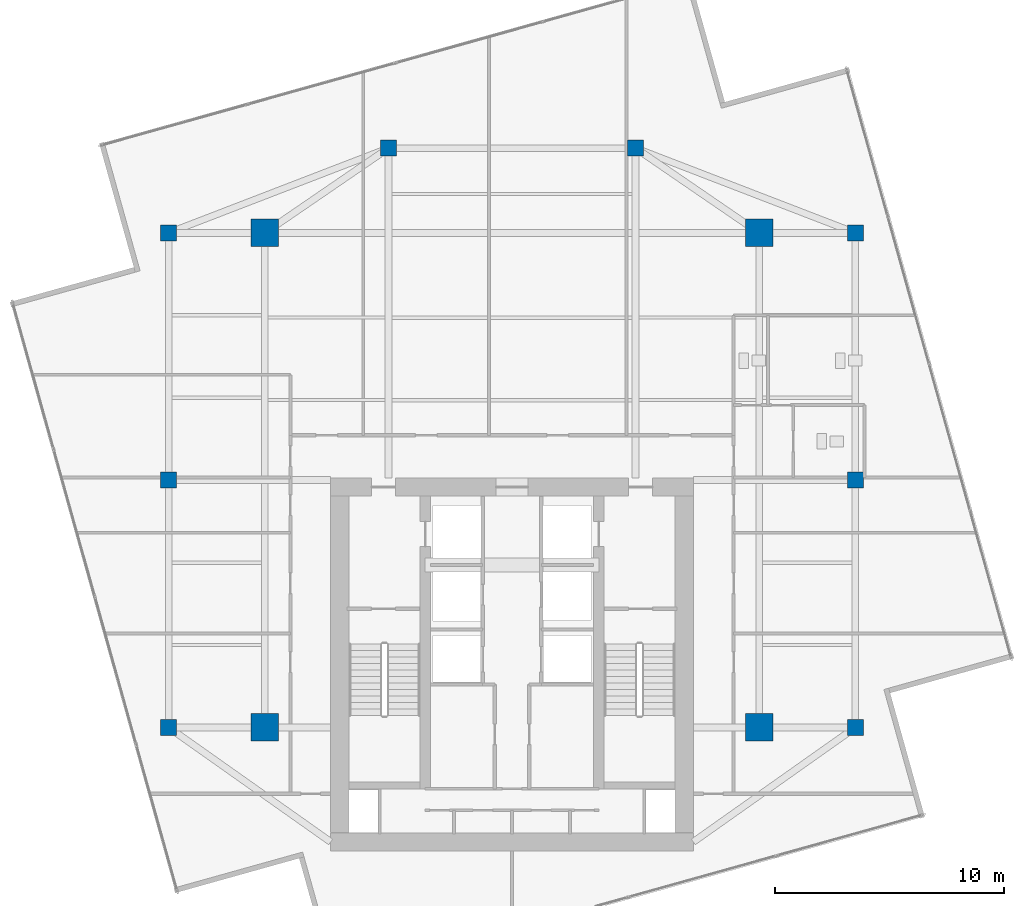
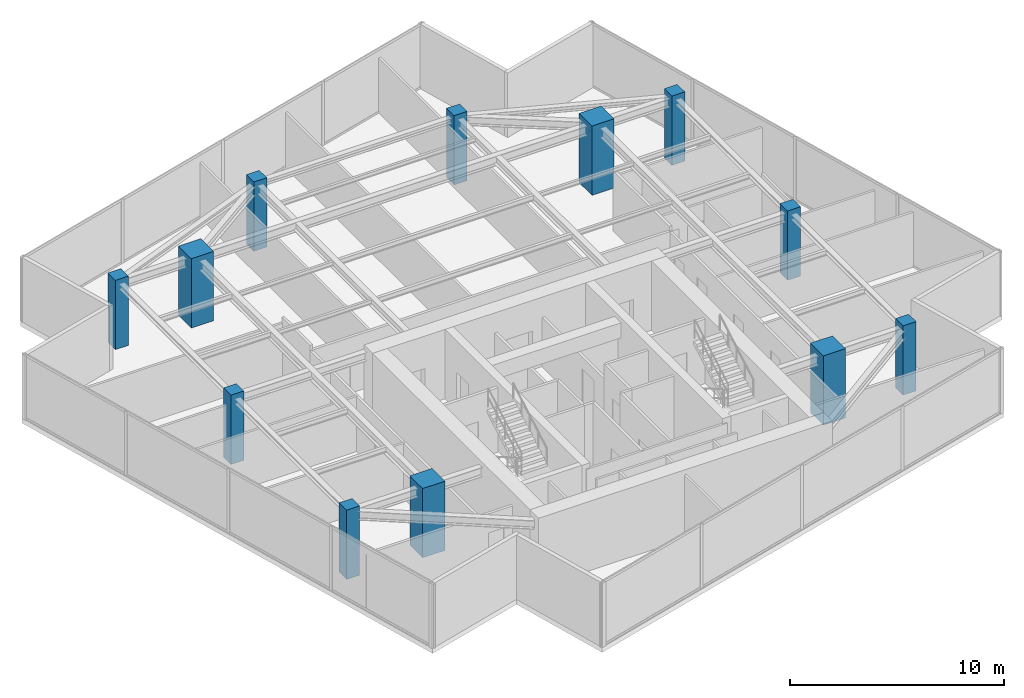
# One storey, part 1 of 20: 12 columns.
"""IFC4 building model written with IfcOpenShell, lengths in metres."""

from ifc_helpers import new_model, si_unit, direction, frame, origin, origin_2d, place, context, subcontext, project, spatial, rectangle, extrude, source, transform, mapped, material, material_profile, profile_set, type_object, type_shapes, element, save


model = new_model("IFC4")

# Units and contexts
model_context = context("Model", 3, precision=1e-05, world=origin(), true_north=direction((0.0, 1.0)))
body_context = subcontext(model_context, "Body", "Model", "MODEL_VIEW")
ifc_project = project(units=[si_unit("LENGTHUNIT", "METRE"), si_unit("AREAUNIT", "SQUARE_METRE"), si_unit("VOLUMEUNIT", "CUBIC_METRE"), si_unit("PLANEANGLEUNIT", "RADIAN"), si_unit("MASSUNIT", "GRAM", prefix="KILO")], contexts=[model_context])

# Site, building, storey
site_placement = place(None, origin())
site = spatial("IfcSite", under=ifc_project, at=site_placement, CompositionType="ELEMENT")
building_placement = place(site_placement, origin())
building = spatial("IfcBuilding", under=site, at=building_placement, Name="Krantzveldt Concourse Tower", CompositionType="ELEMENT")
storey_placement = place(building_placement, frame((0.0, 0.0, 351.39990234375)))
storey = spatial("IfcBuildingStorey", under=building, at=storey_placement, Name="L86", CompositionType="ELEMENT", Elevation=351.39990234375)

# Columns
ifc_material = material(Name="Concrete C50/60", Category="concrete")
ifc_material_profile_1 = material_profile(ifc_material, rectangle(XDim=1.199951171875, YDim=1.199951171875, at=origin_2d()), Name="Concrete C50/60", Category="concrete")
ifc_profile_set_1 = profile_set([ifc_material_profile_1], Name="Concrete C50/60 - RC 1200x1200")
column_type_1 = type_object("IfcColumnType", Name="COL-MC-1200", PredefinedType="USERDEFINED", material=ifc_profile_set_1)
shared_shape_1 = source(origin(), body_context, "Body", "SweptSolid", [
    extrude(rectangle(XDim=1.199951171875, YDim=1.199951171875, at=origin_2d()), origin(), (0.0, 0.0, 1.0), 3.9501953125),
])
type_shapes(column_type_1, [shared_shape_1])
for number, where, z_axis, x_axis, name in (
    (1, (25.199951171875, 15.89990234375, 0.0), (0.0, 0.0, 1.0), (1.0, 0.0, 0.0), "MC-SW-L86"),
    (2, (46.800048828125, 15.89990234375, 0.0), (0.0, 0.0, 1.0), (1.0, 0.0, 0.0), "MC-SE-L86"),
    (3, (46.800048828125, 37.5, 0.0), (0.0, 0.0, 1.0), (1.0, 0.0, 0.0), "MC-NE-L86"),
    (4, (25.199951171875, 37.5, 0.0), (0.0, 0.0, 1.0), (1.0, 0.0, 0.0), "MC-NW-L86"),
):
    element("IfcColumn", number, at=place(storey_placement, frame(where, z_axis=z_axis, x_axis=x_axis)), inside=storey, type_object=column_type_1, Name=name, ObjectType="MEGA COLUMN", PredefinedType="USERDEFINED", context=body_context, shape_type="MappedRepresentation", body=[
        mapped(shared_shape_1, transform((0.0, 0.0, 0.0), x_axis=(1.0, 0.0, 0.0), y_axis=(0.0, 1.0, 0.0), z_axis=(0.0, 0.0, 1.0), scale=1.0)),
    ])
ifc_material_profile_2 = material_profile(ifc_material, rectangle(XDim=0.699951171875, YDim=0.699951171875, at=origin_2d()), Name="Concrete C50/60", Category="concrete")
ifc_profile_set_2 = profile_set([ifc_material_profile_2], Name="Concrete C50/60 - RC 700x700")
column_type_2 = type_object("IfcColumnType", Name="COL-C-Z6", PredefinedType="COLUMN", material=ifc_profile_set_2)
shared_shape_2 = source(origin(), body_context, "Body", "SweptSolid", [
    extrude(rectangle(XDim=0.699951171875, YDim=0.699951171875, at=origin_2d()), origin(), (0.0, 0.0, 1.0), 3.9501953125),
])
type_shapes(column_type_2, [shared_shape_2])
for number, where, z_axis, x_axis, name in (
    (5, (21.0, 15.89990234375, 0.0), (0.0, 0.0, 1.0), (1.0, 0.0, 0.0), "PC-R01-L86"),
    (6, (21.0, 26.699951171875, 0.0), (0.0, 0.0, 1.0), (1.0, 0.0, 0.0), "PC-R02-L86"),
    (7, (21.0, 37.5, 0.0), (0.0, 0.0, 1.0), (1.0, 0.0, 0.0), "PC-R03-L86"),
    (8, (30.60009765625, 41.199951171875, 0.0), (0.0, 0.0, 1.0), (1.0, 0.0, 0.0), "PC-R04-L86"),
    (9, (41.39990234375, 41.199951171875, 0.0), (0.0, 0.0, 1.0), (1.0, 0.0, 0.0), "PC-R05-L86"),
    (10, (51.0, 37.5, 0.0), (0.0, 0.0, 1.0), (1.0, 0.0, 0.0), "PC-R06-L86"),
    (11, (51.0, 26.699951171875, 0.0), (0.0, 0.0, 1.0), (1.0, 0.0, 0.0), "PC-R07-L86"),
    (12, (51.0, 15.89990234375, 0.0), (0.0, 0.0, 1.0), (1.0, 0.0, 0.0), "PC-R08-L86"),
):
    element("IfcColumn", number, at=place(storey_placement, frame(where, z_axis=z_axis, x_axis=x_axis)), inside=storey, type_object=column_type_2, Name=name, PredefinedType="COLUMN", context=body_context, shape_type="MappedRepresentation", body=[
        mapped(shared_shape_2, transform((0.0, 0.0, 0.0), x_axis=(1.0, 0.0, 0.0), y_axis=(0.0, 1.0, 0.0), z_axis=(0.0, 0.0, 1.0), scale=1.0)),
    ])

save(model, "model.ifc")
